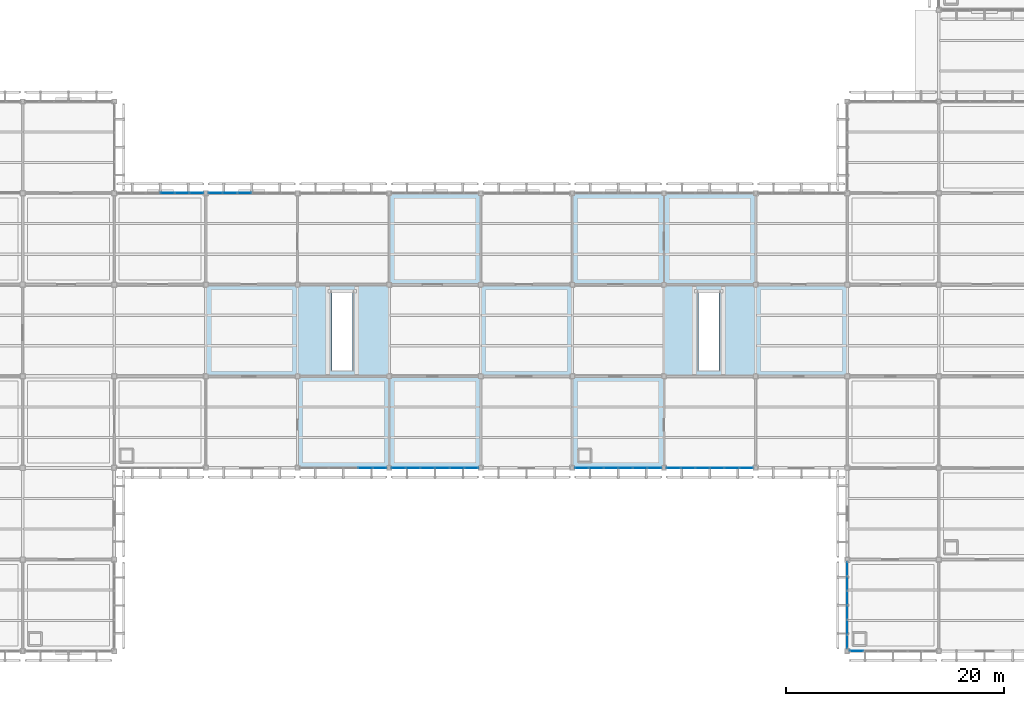
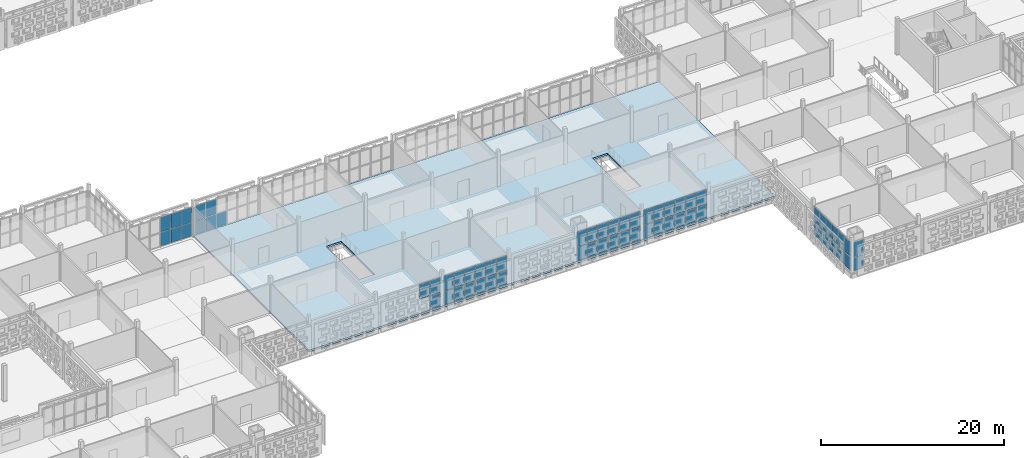
# One storey, part 91 of 203: 64 plates, 1 slab, 8 elements without a shape of their own.
"""IFC4 building model written with IfcOpenShell, lengths in metres."""

from ifc_helpers import new_model, si_unit, direction, frame, origin, origin_2d, place, context, subcontext, project, spatial, polyline, rectangle, outline, extrude, material, layer, layer_set, type_object, element, aggregate, save


model = new_model("IFC4")

# Units and contexts
model_context = context("Model", 3, precision=1e-05, world=origin(), true_north=direction((0.0, 1.0)))
body_context = subcontext(model_context, "Body", "Model", "MODEL_VIEW")
ifc_project = project(units=[si_unit("LENGTHUNIT", "METRE"), si_unit("AREAUNIT", "SQUARE_METRE"), si_unit("VOLUMEUNIT", "CUBIC_METRE"), si_unit("PLANEANGLEUNIT", "RADIAN"), si_unit("MASSUNIT", "GRAM", prefix="KILO")], contexts=[model_context])

# Site, building, storey
site_placement = place(None, origin())
site = spatial("IfcSite", under=ifc_project, at=site_placement, CompositionType="ELEMENT")
building_placement = place(site_placement, origin())
building = spatial("IfcBuilding", under=site, at=building_placement, Name="Varnapada Polytechnic", CompositionType="ELEMENT")
storey_placement = place(building_placement, frame((0.0, 0.0, 4.800048828125)))
storey = spatial("IfcBuildingStorey", under=building, at=storey_placement, Name="L01", CompositionType="ELEMENT", Elevation=4.800048828125)

# Curtain wall, plates
ifc_material_1 = material(Name="Double low-E laminated glass", Category="glass")
ifc_layer_1 = layer(ifc_material_1, 0.159912109375)
ifc_layer_set_1 = layer_set([ifc_layer_1], Name="Double low-E laminated glass")
curtain_wall_type_1 = type_object("IfcCurtainWallType", Name="Curtain Wall CW-01", PredefinedType="NOTDEFINED", material=ifc_layer_set_1)
curtain_wall_1_placement = place(storey_placement, origin())
curtain_wall_1 = element("IfcCurtainWall", 1, at=curtain_wall_1_placement, inside=storey, type_object=curtain_wall_type_1, Name="L01 unitised curtain wall CW-01 (56)", PredefinedType="NOTDEFINED")
ifc_layer_2 = layer(ifc_material_1, 0.028076171875)
ifc_layer_set_2 = layer_set([ifc_layer_2], Name="Double low-E laminated glass")
plate_type_1 = type_object("IfcPlateType", Name="Curtain Panel PNL-01", PredefinedType="CURTAIN_PANEL", material=ifc_layer_set_2)
plate_1_placement = place(storey_placement, frame((63.6767578125, 42.0, 0.06005859375), z_axis=(0.0, 0.0, 1.0), x_axis=(1.0, 0.0, 0.0)))
plate_1 = element("IfcPlate", 2, at=plate_1_placement, type_object=plate_type_1, Name="CW-01 panel 4.1", PredefinedType="CURTAIN_PANEL", context=body_context, shape_type="SweptSolid", body=[
    extrude(rectangle(XDim=1.2734375, YDim=0.028076171875, at=origin_2d()), origin(), (0.0, 0.0, 1.0), 1.810791015625),
])
plate_2_placement = place(storey_placement, frame((63.6767578125, 42.0, 1.9306640625), z_axis=(0.0, 0.0, 1.0), x_axis=(1.0, 0.0, 0.0)))
plate_2 = element("IfcPlate", 3, at=plate_2_placement, type_object=plate_type_1, Name="CW-01 panel 4.2", PredefinedType="CURTAIN_PANEL", context=body_context, shape_type="SweptSolid", body=[
    extrude(rectangle(XDim=1.2734375, YDim=0.028076171875, at=origin_2d()), origin(), (0.0, 0.0, 1.0), 1.96923828125),
])
plate_3_placement = place(storey_placement, frame((65.010009765625, 42.0, 0.06005859375), z_axis=(0.0, 0.0, 1.0), x_axis=(1.0, 0.0, 0.0)))
plate_3 = element("IfcPlate", 4, at=plate_3_placement, type_object=plate_type_1, Name="CW-01 panel 5.1", PredefinedType="CURTAIN_PANEL", context=body_context, shape_type="SweptSolid", body=[
    extrude(rectangle(XDim=1.2734375, YDim=0.028076171875, at=origin_2d()), origin(), (0.0, 0.0, 1.0), 1.810791015625),
])
plate_4_placement = place(storey_placement, frame((65.010009765625, 42.0, 1.9306640625), z_axis=(0.0, 0.0, 1.0), x_axis=(1.0, 0.0, 0.0)))
plate_4 = element("IfcPlate", 5, at=plate_4_placement, type_object=plate_type_1, Name="CW-01 panel 5.2", PredefinedType="CURTAIN_PANEL", context=body_context, shape_type="SweptSolid", body=[
    extrude(rectangle(XDim=1.2734375, YDim=0.028076171875, at=origin_2d()), origin(), (0.0, 0.0, 1.0), 1.96923828125),
])
plate_5_placement = place(storey_placement, frame((66.328369140625, 42.0, 0.06005859375), z_axis=(0.0, 0.0, 1.0), x_axis=(1.0, 0.0, 0.0)))
plate_5 = element("IfcPlate", 6, at=plate_5_placement, type_object=plate_type_1, Name="CW-01 panel 6.1", PredefinedType="CURTAIN_PANEL", context=body_context, shape_type="SweptSolid", body=[
    extrude(rectangle(XDim=1.243408203125, YDim=0.028076171875, at=origin_2d()), origin(), (0.0, 0.0, 1.0), 1.810791015625),
])
plate_6_placement = place(storey_placement, frame((66.328369140625, 42.0, 1.9306640625), z_axis=(0.0, 0.0, 1.0), x_axis=(1.0, 0.0, 0.0)))
plate_6 = element("IfcPlate", 7, at=plate_6_placement, type_object=plate_type_1, Name="CW-01 panel 6.2", PredefinedType="CURTAIN_PANEL", context=body_context, shape_type="SweptSolid", body=[
    extrude(rectangle(XDim=1.243408203125, YDim=0.028076171875, at=origin_2d()), origin(), (0.0, 0.0, 1.0), 1.96923828125),
])
aggregate(curtain_wall_1, [plate_1, plate_2, plate_3, plate_4, plate_5, plate_6])

curtain_wall_2_placement = place(storey_placement, origin())
curtain_wall_2 = element("IfcCurtainWall", 8, at=curtain_wall_2_placement, inside=storey, type_object=curtain_wall_type_1, Name="L01 unitised curtain wall CW-01 (61)", PredefinedType="NOTDEFINED")
plate_7_placement = place(storey_placement, frame((68.072509765625, 42.0, 0.06005859375), z_axis=(0.0, 0.0, 1.0), x_axis=(1.0, 0.0, 0.0)))
plate_7 = element("IfcPlate", 9, at=plate_7_placement, type_object=plate_type_1, Name="CW-01 panel 1.1", PredefinedType="CURTAIN_PANEL", context=body_context, shape_type="SweptSolid", body=[
    extrude(rectangle(XDim=1.2451171875, YDim=0.028076171875, at=origin_2d()), origin(), (0.0, 0.0, 1.0), 1.810791015625),
])
plate_8_placement = place(storey_placement, frame((68.072509765625, 42.0, 1.9306640625), z_axis=(0.0, 0.0, 1.0), x_axis=(1.0, 0.0, 0.0)))
plate_8 = element("IfcPlate", 10, at=plate_8_placement, type_object=plate_type_1, Name="CW-01 panel 1.2", PredefinedType="CURTAIN_PANEL", context=body_context, shape_type="SweptSolid", body=[
    extrude(rectangle(XDim=1.2451171875, YDim=0.028076171875, at=origin_2d()), origin(), (0.0, 0.0, 1.0), 1.96923828125),
])
plate_9_placement = place(storey_placement, frame((69.392578125, 42.0, 0.06005859375), z_axis=(0.0, 0.0, 1.0), x_axis=(1.0, 0.0, 0.0)))
plate_9 = element("IfcPlate", 11, at=plate_9_placement, type_object=plate_type_1, Name="CW-01 panel 2.1", PredefinedType="CURTAIN_PANEL", context=body_context, shape_type="SweptSolid", body=[
    extrude(rectangle(XDim=1.27490234375, YDim=0.028076171875, at=origin_2d()), origin(), (0.0, 0.0, 1.0), 1.810791015625),
])
plate_10_placement = place(storey_placement, frame((69.392578125, 42.0, 1.9306640625), z_axis=(0.0, 0.0, 1.0), x_axis=(1.0, 0.0, 0.0)))
plate_10 = element("IfcPlate", 12, at=plate_10_placement, type_object=plate_type_1, Name="CW-01 panel 2.2", PredefinedType="CURTAIN_PANEL", context=body_context, shape_type="SweptSolid", body=[
    extrude(rectangle(XDim=1.27490234375, YDim=0.028076171875, at=origin_2d()), origin(), (0.0, 0.0, 1.0), 1.96923828125),
])
plate_11_placement = place(storey_placement, frame((70.7275390625, 42.0, 0.06005859375), z_axis=(0.0, 0.0, 1.0), x_axis=(1.0, 0.0, 0.0)))
plate_11 = element("IfcPlate", 13, at=plate_11_placement, type_object=plate_type_1, Name="CW-01 panel 3.1", PredefinedType="CURTAIN_PANEL", context=body_context, shape_type="SweptSolid", body=[
    extrude(rectangle(XDim=1.27490234375, YDim=0.028076171875, at=origin_2d()), origin(), (0.0, 0.0, 1.0), 1.810791015625),
])
aggregate(curtain_wall_2, [plate_7, plate_8, plate_9, plate_10, plate_11])

ifc_layer_3 = layer(ifc_material_1, 0.179931640625)
ifc_layer_set_3 = layer_set([ifc_layer_3], Name="Double low-E laminated glass")
curtain_wall_type_2 = type_object("IfcCurtainWallType", Name="Curtain Wall CW-04", PredefinedType="NOTDEFINED", material=ifc_layer_set_3)
curtain_wall_3_placement = place(storey_placement, origin())
curtain_wall_3 = element("IfcCurtainWall", 14, at=curtain_wall_3_placement, inside=storey, type_object=curtain_wall_type_2, Name="L01 unitised curtain wall CW-04 (64)", PredefinedType="NOTDEFINED")
ifc_layer_4 = layer(ifc_material_1, 0.031982421875)
ifc_layer_set_4 = layer_set([ifc_layer_4], Name="Double low-E laminated glass")
plate_type_2 = type_object("IfcPlateType", Name="Curtain Panel PNL-02", PredefinedType="CURTAIN_PANEL", material=ifc_layer_set_4)
plate_12_placement = place(storey_placement, frame((83.1337890625, 16.800048828125, 0.06494140625), z_axis=(0.0, 0.0, 1.0), x_axis=(-1.0, 0.0, 0.0)))
plate_12 = element("IfcPlate", 15, at=plate_12_placement, type_object=plate_type_2, Name="CW-04 panel 1.1", PredefinedType="CURTAIN_PANEL", context=body_context, shape_type="SweptSolid", body=[
    extrude(rectangle(XDim=1.242431640625, YDim=0.031982421875, at=origin_2d()), origin(), (0.0, 0.0, 1.0), 1.80322265625),
])
plate_13_placement = place(storey_placement, frame((83.1337890625, 16.800048828125, 1.93310546875), z_axis=(0.0, 0.0, 1.0), x_axis=(-1.0, 0.0, 0.0)))
plate_13 = element("IfcPlate", 16, at=plate_13_placement, type_object=plate_type_2, Name="CW-04 panel 1.2", PredefinedType="CURTAIN_PANEL", context=body_context, shape_type="SweptSolid", body=[
    extrude(rectangle(XDim=1.242431640625, YDim=0.031982421875, at=origin_2d()), origin(), (0.0, 0.0, 1.0), 1.961669921875),
])
plate_14_placement = place(storey_placement, frame((81.81005859375, 16.800048828125, 1.93310546875), z_axis=(0.0, 0.0, 1.0), x_axis=(-1.0, 0.0, 0.0)))
plate_14 = element("IfcPlate", 17, at=plate_14_placement, type_object=plate_type_2, Name="CW-04 panel 2.2", PredefinedType="CURTAIN_PANEL", context=body_context, shape_type="SweptSolid", body=[
    extrude(rectangle(XDim=1.27490234375, YDim=0.031982421875, at=origin_2d()), origin(), (0.0, 0.0, 1.0), 1.961669921875),
])
aggregate(curtain_wall_3, [plate_12, plate_13, plate_14])

curtain_wall_4_placement = place(storey_placement, origin())
curtain_wall_4 = element("IfcCurtainWall", 18, at=curtain_wall_4_placement, inside=storey, type_object=curtain_wall_type_2, Name="L01 unitised curtain wall CW-04 (69)", PredefinedType="NOTDEFINED")
plate_15_placement = place(storey_placement, frame((91.53369140625, 16.800048828125, 0.06494140625), z_axis=(0.0, 0.0, 1.0), x_axis=(-1.0, 0.0, 0.0)))
plate_15 = element("IfcPlate", 19, at=plate_15_placement, type_object=plate_type_2, Name="CW-04 panel 1.1", PredefinedType="CURTAIN_PANEL", context=body_context, shape_type="SweptSolid", body=[
    extrude(rectangle(XDim=1.242431640625, YDim=0.031982421875, at=origin_2d()), origin(), (0.0, 0.0, 1.0), 1.80322265625),
])
plate_16_placement = place(storey_placement, frame((91.53369140625, 16.800048828125, 1.93310546875), z_axis=(0.0, 0.0, 1.0), x_axis=(-1.0, 0.0, 0.0)))
plate_16 = element("IfcPlate", 20, at=plate_16_placement, type_object=plate_type_2, Name="CW-04 panel 1.2", PredefinedType="CURTAIN_PANEL", context=body_context, shape_type="SweptSolid", body=[
    extrude(rectangle(XDim=1.242431640625, YDim=0.031982421875, at=origin_2d()), origin(), (0.0, 0.0, 1.0), 1.961669921875),
])
plate_17_placement = place(storey_placement, frame((90.2099609375, 16.800048828125, 0.06494140625), z_axis=(0.0, 0.0, 1.0), x_axis=(-1.0, 0.0, 0.0)))
plate_17 = element("IfcPlate", 21, at=plate_17_placement, type_object=plate_type_2, Name="CW-04 panel 2.1", PredefinedType="CURTAIN_PANEL", context=body_context, shape_type="SweptSolid", body=[
    extrude(rectangle(XDim=1.27490234375, YDim=0.031982421875, at=origin_2d()), origin(), (0.0, 0.0, 1.0), 1.80322265625),
])
plate_18_placement = place(storey_placement, frame((90.2099609375, 16.800048828125, 1.93310546875), z_axis=(0.0, 0.0, 1.0), x_axis=(-1.0, 0.0, 0.0)))
plate_18 = element("IfcPlate", 22, at=plate_18_placement, type_object=plate_type_2, Name="CW-04 panel 2.2", PredefinedType="CURTAIN_PANEL", context=body_context, shape_type="SweptSolid", body=[
    extrude(rectangle(XDim=1.27490234375, YDim=0.031982421875, at=origin_2d()), origin(), (0.0, 0.0, 1.0), 1.961669921875),
])
plate_19_placement = place(storey_placement, frame((88.8701171875, 16.800048828125, 0.06494140625), z_axis=(0.0, 0.0, 1.0), x_axis=(-1.0, 0.0, 0.0)))
plate_19 = element("IfcPlate", 23, at=plate_19_placement, type_object=plate_type_2, Name="CW-04 panel 3.1", PredefinedType="CURTAIN_PANEL", context=body_context, shape_type="SweptSolid", body=[
    extrude(rectangle(XDim=1.27490234375, YDim=0.031982421875, at=origin_2d()), origin(), (0.0, 0.0, 1.0), 1.80322265625),
])
plate_20_placement = place(storey_placement, frame((88.8701171875, 16.800048828125, 1.93310546875), z_axis=(0.0, 0.0, 1.0), x_axis=(-1.0, 0.0, 0.0)))
plate_20 = element("IfcPlate", 24, at=plate_20_placement, type_object=plate_type_2, Name="CW-04 panel 3.2", PredefinedType="CURTAIN_PANEL", context=body_context, shape_type="SweptSolid", body=[
    extrude(rectangle(XDim=1.27490234375, YDim=0.031982421875, at=origin_2d()), origin(), (0.0, 0.0, 1.0), 1.961669921875),
])
plate_21_placement = place(storey_placement, frame((87.530029296875, 16.800048828125, 0.06494140625), z_axis=(0.0, 0.0, 1.0), x_axis=(-1.0, 0.0, 0.0)))
plate_21 = element("IfcPlate", 25, at=plate_21_placement, type_object=plate_type_2, Name="CW-04 panel 4.1", PredefinedType="CURTAIN_PANEL", context=body_context, shape_type="SweptSolid", body=[
    extrude(rectangle(XDim=1.27490234375, YDim=0.031982421875, at=origin_2d()), origin(), (0.0, 0.0, 1.0), 1.80322265625),
])
plate_22_placement = place(storey_placement, frame((87.530029296875, 16.800048828125, 1.93310546875), z_axis=(0.0, 0.0, 1.0), x_axis=(-1.0, 0.0, 0.0)))
plate_22 = element("IfcPlate", 26, at=plate_22_placement, type_object=plate_type_2, Name="CW-04 panel 4.2", PredefinedType="CURTAIN_PANEL", context=body_context, shape_type="SweptSolid", body=[
    extrude(rectangle(XDim=1.27490234375, YDim=0.031982421875, at=origin_2d()), origin(), (0.0, 0.0, 1.0), 1.961669921875),
])
plate_23_placement = place(storey_placement, frame((86.18994140625, 16.800048828125, 0.06494140625), z_axis=(0.0, 0.0, 1.0), x_axis=(-1.0, 0.0, 0.0)))
plate_23 = element("IfcPlate", 27, at=plate_23_placement, type_object=plate_type_2, Name="CW-04 panel 5.1", PredefinedType="CURTAIN_PANEL", context=body_context, shape_type="SweptSolid", body=[
    extrude(rectangle(XDim=1.27490234375, YDim=0.031982421875, at=origin_2d()), origin(), (0.0, 0.0, 1.0), 1.80322265625),
])
plate_24_placement = place(storey_placement, frame((86.18994140625, 16.800048828125, 1.93310546875), z_axis=(0.0, 0.0, 1.0), x_axis=(-1.0, 0.0, 0.0)))
plate_24 = element("IfcPlate", 28, at=plate_24_placement, type_object=plate_type_2, Name="CW-04 panel 5.2", PredefinedType="CURTAIN_PANEL", context=body_context, shape_type="SweptSolid", body=[
    extrude(rectangle(XDim=1.27490234375, YDim=0.031982421875, at=origin_2d()), origin(), (0.0, 0.0, 1.0), 1.961669921875),
])
plate_25_placement = place(storey_placement, frame((84.8662109375, 16.800048828125, 0.06494140625), z_axis=(0.0, 0.0, 1.0), x_axis=(-1.0, 0.0, 0.0)))
plate_25 = element("IfcPlate", 29, at=plate_25_placement, type_object=plate_type_2, Name="CW-04 panel 6.1", PredefinedType="CURTAIN_PANEL", context=body_context, shape_type="SweptSolid", body=[
    extrude(rectangle(XDim=1.242431640625, YDim=0.031982421875, at=origin_2d()), origin(), (0.0, 0.0, 1.0), 1.80322265625),
])
plate_26_placement = place(storey_placement, frame((84.8662109375, 16.800048828125, 1.93310546875), z_axis=(0.0, 0.0, 1.0), x_axis=(-1.0, 0.0, 0.0)))
plate_26 = element("IfcPlate", 30, at=plate_26_placement, type_object=plate_type_2, Name="CW-04 panel 6.2", PredefinedType="CURTAIN_PANEL", context=body_context, shape_type="SweptSolid", body=[
    extrude(rectangle(XDim=1.242431640625, YDim=0.031982421875, at=origin_2d()), origin(), (0.0, 0.0, 1.0), 1.961669921875),
])
aggregate(curtain_wall_4, [plate_15, plate_16, plate_17, plate_18, plate_19, plate_20, plate_21, plate_22, plate_23, plate_24, plate_25, plate_26])

curtain_wall_5_placement = place(storey_placement, origin())
curtain_wall_5 = element("IfcCurtainWall", 31, at=curtain_wall_5_placement, inside=storey, type_object=curtain_wall_type_2, Name="L01 unitised curtain wall CW-04 (78)", PredefinedType="NOTDEFINED")
plate_27_placement = place(storey_placement, frame((108.333740234375, 16.800048828125, 0.06494140625), z_axis=(0.0, 0.0, 1.0), x_axis=(-1.0, 0.0, 0.0)))
plate_27 = element("IfcPlate", 32, at=plate_27_placement, type_object=plate_type_2, Name="CW-04 panel 1.1", PredefinedType="CURTAIN_PANEL", context=body_context, shape_type="SweptSolid", body=[
    extrude(rectangle(XDim=1.242431640625, YDim=0.031982421875, at=origin_2d()), origin(), (0.0, 0.0, 1.0), 1.80322265625),
])
plate_28_placement = place(storey_placement, frame((108.333740234375, 16.800048828125, 1.93310546875), z_axis=(0.0, 0.0, 1.0), x_axis=(-1.0, 0.0, 0.0)))
plate_28 = element("IfcPlate", 33, at=plate_28_placement, type_object=plate_type_2, Name="CW-04 panel 1.2", PredefinedType="CURTAIN_PANEL", context=body_context, shape_type="SweptSolid", body=[
    extrude(rectangle(XDim=1.242431640625, YDim=0.031982421875, at=origin_2d()), origin(), (0.0, 0.0, 1.0), 1.961669921875),
])
plate_29_placement = place(storey_placement, frame((107.010009765625, 16.800048828125, 0.06494140625), z_axis=(0.0, 0.0, 1.0), x_axis=(-1.0, 0.0, 0.0)))
plate_29 = element("IfcPlate", 34, at=plate_29_placement, type_object=plate_type_2, Name="CW-04 panel 2.1", PredefinedType="CURTAIN_PANEL", context=body_context, shape_type="SweptSolid", body=[
    extrude(rectangle(XDim=1.27490234375, YDim=0.031982421875, at=origin_2d()), origin(), (0.0, 0.0, 1.0), 1.80322265625),
])
plate_30_placement = place(storey_placement, frame((107.010009765625, 16.800048828125, 1.93310546875), z_axis=(0.0, 0.0, 1.0), x_axis=(-1.0, 0.0, 0.0)))
plate_30 = element("IfcPlate", 35, at=plate_30_placement, type_object=plate_type_2, Name="CW-04 panel 2.2", PredefinedType="CURTAIN_PANEL", context=body_context, shape_type="SweptSolid", body=[
    extrude(rectangle(XDim=1.27490234375, YDim=0.031982421875, at=origin_2d()), origin(), (0.0, 0.0, 1.0), 1.961669921875),
])
plate_31_placement = place(storey_placement, frame((105.669921875, 16.800048828125, 0.06494140625), z_axis=(0.0, 0.0, 1.0), x_axis=(-1.0, 0.0, 0.0)))
plate_31 = element("IfcPlate", 36, at=plate_31_placement, type_object=plate_type_2, Name="CW-04 panel 3.1", PredefinedType="CURTAIN_PANEL", context=body_context, shape_type="SweptSolid", body=[
    extrude(rectangle(XDim=1.27490234375, YDim=0.031982421875, at=origin_2d()), origin(), (0.0, 0.0, 1.0), 1.80322265625),
])
plate_32_placement = place(storey_placement, frame((105.669921875, 16.800048828125, 1.93310546875), z_axis=(0.0, 0.0, 1.0), x_axis=(-1.0, 0.0, 0.0)))
plate_32 = element("IfcPlate", 37, at=plate_32_placement, type_object=plate_type_2, Name="CW-04 panel 3.2", PredefinedType="CURTAIN_PANEL", context=body_context, shape_type="SweptSolid", body=[
    extrude(rectangle(XDim=1.27490234375, YDim=0.031982421875, at=origin_2d()), origin(), (0.0, 0.0, 1.0), 1.961669921875),
])
plate_33_placement = place(storey_placement, frame((104.330078125, 16.800048828125, 0.06494140625), z_axis=(0.0, 0.0, 1.0), x_axis=(-1.0, 0.0, 0.0)))
plate_33 = element("IfcPlate", 38, at=plate_33_placement, type_object=plate_type_2, Name="CW-04 panel 4.1", PredefinedType="CURTAIN_PANEL", context=body_context, shape_type="SweptSolid", body=[
    extrude(rectangle(XDim=1.27490234375, YDim=0.031982421875, at=origin_2d()), origin(), (0.0, 0.0, 1.0), 1.80322265625),
])
plate_34_placement = place(storey_placement, frame((104.330078125, 16.800048828125, 1.93310546875), z_axis=(0.0, 0.0, 1.0), x_axis=(-1.0, 0.0, 0.0)))
plate_34 = element("IfcPlate", 39, at=plate_34_placement, type_object=plate_type_2, Name="CW-04 panel 4.2", PredefinedType="CURTAIN_PANEL", context=body_context, shape_type="SweptSolid", body=[
    extrude(rectangle(XDim=1.27490234375, YDim=0.031982421875, at=origin_2d()), origin(), (0.0, 0.0, 1.0), 1.961669921875),
])
plate_35_placement = place(storey_placement, frame((102.989990234375, 16.800048828125, 0.06494140625), z_axis=(0.0, 0.0, 1.0), x_axis=(-1.0, 0.0, 0.0)))
plate_35 = element("IfcPlate", 40, at=plate_35_placement, type_object=plate_type_2, Name="CW-04 panel 5.1", PredefinedType="CURTAIN_PANEL", context=body_context, shape_type="SweptSolid", body=[
    extrude(rectangle(XDim=1.27490234375, YDim=0.031982421875, at=origin_2d()), origin(), (0.0, 0.0, 1.0), 1.80322265625),
])
plate_36_placement = place(storey_placement, frame((102.989990234375, 16.800048828125, 1.93310546875), z_axis=(0.0, 0.0, 1.0), x_axis=(-1.0, 0.0, 0.0)))
plate_36 = element("IfcPlate", 41, at=plate_36_placement, type_object=plate_type_2, Name="CW-04 panel 5.2", PredefinedType="CURTAIN_PANEL", context=body_context, shape_type="SweptSolid", body=[
    extrude(rectangle(XDim=1.27490234375, YDim=0.031982421875, at=origin_2d()), origin(), (0.0, 0.0, 1.0), 1.961669921875),
])
plate_37_placement = place(storey_placement, frame((101.666259765625, 16.800048828125, 0.06494140625), z_axis=(0.0, 0.0, 1.0), x_axis=(-1.0, 0.0, 0.0)))
plate_37 = element("IfcPlate", 42, at=plate_37_placement, type_object=plate_type_2, Name="CW-04 panel 6.1", PredefinedType="CURTAIN_PANEL", context=body_context, shape_type="SweptSolid", body=[
    extrude(rectangle(XDim=1.242431640625, YDim=0.031982421875, at=origin_2d()), origin(), (0.0, 0.0, 1.0), 1.80322265625),
])
plate_38_placement = place(storey_placement, frame((101.666259765625, 16.800048828125, 1.93310546875), z_axis=(0.0, 0.0, 1.0), x_axis=(-1.0, 0.0, 0.0)))
plate_38 = element("IfcPlate", 43, at=plate_38_placement, type_object=plate_type_2, Name="CW-04 panel 6.2", PredefinedType="CURTAIN_PANEL", context=body_context, shape_type="SweptSolid", body=[
    extrude(rectangle(XDim=1.242431640625, YDim=0.031982421875, at=origin_2d()), origin(), (0.0, 0.0, 1.0), 1.961669921875),
])
aggregate(curtain_wall_5, [plate_27, plate_28, plate_29, plate_30, plate_31, plate_32, plate_33, plate_34, plate_35, plate_36, plate_37, plate_38])

curtain_wall_6_placement = place(storey_placement, origin())
curtain_wall_6 = element("IfcCurtainWall", 44, at=curtain_wall_6_placement, inside=storey, type_object=curtain_wall_type_2, Name="L01 unitised curtain wall CW-04 (83)", PredefinedType="NOTDEFINED")
plate_39_placement = place(storey_placement, frame((116.733642578125, 16.800048828125, 0.06494140625), z_axis=(0.0, 0.0, 1.0), x_axis=(-1.0, 0.0, 0.0)))
plate_39 = element("IfcPlate", 45, at=plate_39_placement, type_object=plate_type_2, Name="CW-04 panel 1.1", PredefinedType="CURTAIN_PANEL", context=body_context, shape_type="SweptSolid", body=[
    extrude(rectangle(XDim=1.242431640625, YDim=0.031982421875, at=origin_2d()), origin(), (0.0, 0.0, 1.0), 1.80322265625),
])
plate_40_placement = place(storey_placement, frame((116.733642578125, 16.800048828125, 1.93310546875), z_axis=(0.0, 0.0, 1.0), x_axis=(-1.0, 0.0, 0.0)))
plate_40 = element("IfcPlate", 46, at=plate_40_placement, type_object=plate_type_2, Name="CW-04 panel 1.2", PredefinedType="CURTAIN_PANEL", context=body_context, shape_type="SweptSolid", body=[
    extrude(rectangle(XDim=1.242431640625, YDim=0.031982421875, at=origin_2d()), origin(), (0.0, 0.0, 1.0), 1.961669921875),
])
plate_41_placement = place(storey_placement, frame((115.409912109375, 16.800048828125, 0.06494140625), z_axis=(0.0, 0.0, 1.0), x_axis=(-1.0, 0.0, 0.0)))
plate_41 = element("IfcPlate", 47, at=plate_41_placement, type_object=plate_type_2, Name="CW-04 panel 2.1", PredefinedType="CURTAIN_PANEL", context=body_context, shape_type="SweptSolid", body=[
    extrude(rectangle(XDim=1.27490234375, YDim=0.031982421875, at=origin_2d()), origin(), (0.0, 0.0, 1.0), 1.80322265625),
])
plate_42_placement = place(storey_placement, frame((115.409912109375, 16.800048828125, 1.93310546875), z_axis=(0.0, 0.0, 1.0), x_axis=(-1.0, 0.0, 0.0)))
plate_42 = element("IfcPlate", 48, at=plate_42_placement, type_object=plate_type_2, Name="CW-04 panel 2.2", PredefinedType="CURTAIN_PANEL", context=body_context, shape_type="SweptSolid", body=[
    extrude(rectangle(XDim=1.27490234375, YDim=0.031982421875, at=origin_2d()), origin(), (0.0, 0.0, 1.0), 1.961669921875),
])
plate_43_placement = place(storey_placement, frame((114.070068359375, 16.800048828125, 0.06494140625), z_axis=(0.0, 0.0, 1.0), x_axis=(-1.0, 0.0, 0.0)))
plate_43 = element("IfcPlate", 49, at=plate_43_placement, type_object=plate_type_2, Name="CW-04 panel 3.1", PredefinedType="CURTAIN_PANEL", context=body_context, shape_type="SweptSolid", body=[
    extrude(rectangle(XDim=1.27490234375, YDim=0.031982421875, at=origin_2d()), origin(), (0.0, 0.0, 1.0), 1.80322265625),
])
plate_44_placement = place(storey_placement, frame((114.070068359375, 16.800048828125, 1.93310546875), z_axis=(0.0, 0.0, 1.0), x_axis=(-1.0, 0.0, 0.0)))
plate_44 = element("IfcPlate", 50, at=plate_44_placement, type_object=plate_type_2, Name="CW-04 panel 3.2", PredefinedType="CURTAIN_PANEL", context=body_context, shape_type="SweptSolid", body=[
    extrude(rectangle(XDim=1.27490234375, YDim=0.031982421875, at=origin_2d()), origin(), (0.0, 0.0, 1.0), 1.961669921875),
])
plate_45_placement = place(storey_placement, frame((112.72998046875, 16.800048828125, 0.06494140625), z_axis=(0.0, 0.0, 1.0), x_axis=(-1.0, 0.0, 0.0)))
plate_45 = element("IfcPlate", 51, at=plate_45_placement, type_object=plate_type_2, Name="CW-04 panel 4.1", PredefinedType="CURTAIN_PANEL", context=body_context, shape_type="SweptSolid", body=[
    extrude(rectangle(XDim=1.27490234375, YDim=0.031982421875, at=origin_2d()), origin(), (0.0, 0.0, 1.0), 1.80322265625),
])
plate_46_placement = place(storey_placement, frame((112.72998046875, 16.800048828125, 1.93310546875), z_axis=(0.0, 0.0, 1.0), x_axis=(-1.0, 0.0, 0.0)))
plate_46 = element("IfcPlate", 52, at=plate_46_placement, type_object=plate_type_2, Name="CW-04 panel 4.2", PredefinedType="CURTAIN_PANEL", context=body_context, shape_type="SweptSolid", body=[
    extrude(rectangle(XDim=1.27490234375, YDim=0.031982421875, at=origin_2d()), origin(), (0.0, 0.0, 1.0), 1.961669921875),
])
plate_47_placement = place(storey_placement, frame((111.389892578125, 16.800048828125, 0.06494140625), z_axis=(0.0, 0.0, 1.0), x_axis=(-1.0, 0.0, 0.0)))
plate_47 = element("IfcPlate", 53, at=plate_47_placement, type_object=plate_type_2, Name="CW-04 panel 5.1", PredefinedType="CURTAIN_PANEL", context=body_context, shape_type="SweptSolid", body=[
    extrude(rectangle(XDim=1.27490234375, YDim=0.031982421875, at=origin_2d()), origin(), (0.0, 0.0, 1.0), 1.80322265625),
])
plate_48_placement = place(storey_placement, frame((111.389892578125, 16.800048828125, 1.93310546875), z_axis=(0.0, 0.0, 1.0), x_axis=(-1.0, 0.0, 0.0)))
plate_48 = element("IfcPlate", 54, at=plate_48_placement, type_object=plate_type_2, Name="CW-04 panel 5.2", PredefinedType="CURTAIN_PANEL", context=body_context, shape_type="SweptSolid", body=[
    extrude(rectangle(XDim=1.27490234375, YDim=0.031982421875, at=origin_2d()), origin(), (0.0, 0.0, 1.0), 1.961669921875),
])
plate_49_placement = place(storey_placement, frame((110.066162109375, 16.800048828125, 0.06494140625), z_axis=(0.0, 0.0, 1.0), x_axis=(-1.0, 0.0, 0.0)))
plate_49 = element("IfcPlate", 55, at=plate_49_placement, type_object=plate_type_2, Name="CW-04 panel 6.1", PredefinedType="CURTAIN_PANEL", context=body_context, shape_type="SweptSolid", body=[
    extrude(rectangle(XDim=1.242431640625, YDim=0.031982421875, at=origin_2d()), origin(), (0.0, 0.0, 1.0), 1.80322265625),
])
plate_50_placement = place(storey_placement, frame((110.066162109375, 16.800048828125, 1.93310546875), z_axis=(0.0, 0.0, 1.0), x_axis=(-1.0, 0.0, 0.0)))
plate_50 = element("IfcPlate", 56, at=plate_50_placement, type_object=plate_type_2, Name="CW-04 panel 6.2", PredefinedType="CURTAIN_PANEL", context=body_context, shape_type="SweptSolid", body=[
    extrude(rectangle(XDim=1.242431640625, YDim=0.031982421875, at=origin_2d()), origin(), (0.0, 0.0, 1.0), 1.961669921875),
])
aggregate(curtain_wall_6, [plate_39, plate_40, plate_41, plate_42, plate_43, plate_44, plate_45, plate_46, plate_47, plate_48, plate_49, plate_50])

curtain_wall_7_placement = place(storey_placement, origin())
curtain_wall_7 = element("IfcCurtainWall", 57, at=curtain_wall_7_placement, inside=storey, type_object=curtain_wall_type_2, Name="L01 unitised curtain wall CW-04 (92)", PredefinedType="NOTDEFINED")
plate_51_placement = place(storey_placement, frame((126.8662109375, 0.0, 0.06494140625), z_axis=(0.0, 0.0, 1.0), x_axis=(-1.0, 0.0, 0.0)))
plate_51 = element("IfcPlate", 58, at=plate_51_placement, type_object=plate_type_2, Name="CW-04 panel 6.1", PredefinedType="CURTAIN_PANEL", context=body_context, shape_type="SweptSolid", body=[
    extrude(rectangle(XDim=1.242431640625, YDim=0.031982421875, at=origin_2d()), origin(), (0.0, 0.0, 1.0), 1.80322265625),
])
plate_52_placement = place(storey_placement, frame((126.8662109375, 0.0, 1.93310546875), z_axis=(0.0, 0.0, 1.0), x_axis=(-1.0, 0.0, 0.0)))
plate_52 = element("IfcPlate", 59, at=plate_52_placement, type_object=plate_type_2, Name="CW-04 panel 6.2", PredefinedType="CURTAIN_PANEL", context=body_context, shape_type="SweptSolid", body=[
    extrude(rectangle(XDim=1.242431640625, YDim=0.031982421875, at=origin_2d()), origin(), (0.0, 0.0, 1.0), 1.961669921875),
])
aggregate(curtain_wall_7, [plate_51, plate_52])

curtain_wall_8_placement = place(storey_placement, origin())
curtain_wall_8 = element("IfcCurtainWall", 60, at=curtain_wall_8_placement, inside=storey, type_object=curtain_wall_type_2, Name="L01 unitised curtain wall CW-04 (93)", PredefinedType="NOTDEFINED")
plate_53_placement = place(storey_placement, frame((126.0, 0.8671875, 0.06494140625), z_axis=(0.0, 0.0, 1.0), x_axis=(0.0, 1.0, 0.0)))
plate_53 = element("IfcPlate", 61, at=plate_53_placement, type_object=plate_type_2, Name="CW-04 panel 1.1", PredefinedType="CURTAIN_PANEL", context=body_context, shape_type="SweptSolid", body=[
    extrude(rectangle(XDim=1.244140625, YDim=0.031982421875, at=origin_2d()), origin(), (0.0, 0.0, 1.0), 1.80322265625),
])
plate_54_placement = place(storey_placement, frame((126.0, 0.8671875, 1.93310546875), z_axis=(0.0, 0.0, 1.0), x_axis=(0.0, 1.0, 0.0)))
plate_54 = element("IfcPlate", 62, at=plate_54_placement, type_object=plate_type_2, Name="CW-04 panel 1.2", PredefinedType="CURTAIN_PANEL", context=body_context, shape_type="SweptSolid", body=[
    extrude(rectangle(XDim=1.244140625, YDim=0.031982421875, at=origin_2d()), origin(), (0.0, 0.0, 1.0), 1.961669921875),
])
plate_55_placement = place(storey_placement, frame((126.0, 2.1923828125, 0.06494140625), z_axis=(0.0, 0.0, 1.0), x_axis=(0.0, 1.0, 0.0)))
plate_55 = element("IfcPlate", 63, at=plate_55_placement, type_object=plate_type_2, Name="CW-04 panel 2.1", PredefinedType="CURTAIN_PANEL", context=body_context, shape_type="SweptSolid", body=[
    extrude(rectangle(XDim=1.276611328125, YDim=0.031982421875, at=origin_2d()), origin(), (0.0, 0.0, 1.0), 1.80322265625),
])
plate_56_placement = place(storey_placement, frame((126.0, 2.1923828125, 1.93310546875), z_axis=(0.0, 0.0, 1.0), x_axis=(0.0, 1.0, 0.0)))
plate_56 = element("IfcPlate", 64, at=plate_56_placement, type_object=plate_type_2, Name="CW-04 panel 2.2", PredefinedType="CURTAIN_PANEL", context=body_context, shape_type="SweptSolid", body=[
    extrude(rectangle(XDim=1.276611328125, YDim=0.031982421875, at=origin_2d()), origin(), (0.0, 0.0, 1.0), 1.961669921875),
])
plate_57_placement = place(storey_placement, frame((126.0, 3.5341796875, 0.06494140625), z_axis=(0.0, 0.0, 1.0), x_axis=(0.0, 1.0, 0.0)))
plate_57 = element("IfcPlate", 65, at=plate_57_placement, type_object=plate_type_2, Name="CW-04 panel 3.1", PredefinedType="CURTAIN_PANEL", context=body_context, shape_type="SweptSolid", body=[
    extrude(rectangle(XDim=1.276611328125, YDim=0.031982421875, at=origin_2d()), origin(), (0.0, 0.0, 1.0), 1.80322265625),
])
plate_58_placement = place(storey_placement, frame((126.0, 3.5341796875, 1.93310546875), z_axis=(0.0, 0.0, 1.0), x_axis=(0.0, 1.0, 0.0)))
plate_58 = element("IfcPlate", 66, at=plate_58_placement, type_object=plate_type_2, Name="CW-04 panel 3.2", PredefinedType="CURTAIN_PANEL", context=body_context, shape_type="SweptSolid", body=[
    extrude(rectangle(XDim=1.276611328125, YDim=0.031982421875, at=origin_2d()), origin(), (0.0, 0.0, 1.0), 1.961669921875),
])
plate_59_placement = place(storey_placement, frame((126.0, 4.875732421875, 0.06494140625), z_axis=(0.0, 0.0, 1.0), x_axis=(0.0, 1.0, 0.0)))
plate_59 = element("IfcPlate", 67, at=plate_59_placement, type_object=plate_type_2, Name="CW-04 panel 4.1", PredefinedType="CURTAIN_PANEL", context=body_context, shape_type="SweptSolid", body=[
    extrude(rectangle(XDim=1.276611328125, YDim=0.031982421875, at=origin_2d()), origin(), (0.0, 0.0, 1.0), 1.80322265625),
])
plate_60_placement = place(storey_placement, frame((126.0, 4.875732421875, 1.93310546875), z_axis=(0.0, 0.0, 1.0), x_axis=(0.0, 1.0, 0.0)))
plate_60 = element("IfcPlate", 68, at=plate_60_placement, type_object=plate_type_2, Name="CW-04 panel 4.2", PredefinedType="CURTAIN_PANEL", context=body_context, shape_type="SweptSolid", body=[
    extrude(rectangle(XDim=1.276611328125, YDim=0.031982421875, at=origin_2d()), origin(), (0.0, 0.0, 1.0), 1.961669921875),
])
plate_61_placement = place(storey_placement, frame((126.0, 6.217529296875, 0.06494140625), z_axis=(0.0, 0.0, 1.0), x_axis=(0.0, 1.0, 0.0)))
plate_61 = element("IfcPlate", 69, at=plate_61_placement, type_object=plate_type_2, Name="CW-04 panel 5.1", PredefinedType="CURTAIN_PANEL", context=body_context, shape_type="SweptSolid", body=[
    extrude(rectangle(XDim=1.276611328125, YDim=0.031982421875, at=origin_2d()), origin(), (0.0, 0.0, 1.0), 1.80322265625),
])
plate_62_placement = place(storey_placement, frame((126.0, 6.217529296875, 1.93310546875), z_axis=(0.0, 0.0, 1.0), x_axis=(0.0, 1.0, 0.0)))
plate_62 = element("IfcPlate", 70, at=plate_62_placement, type_object=plate_type_2, Name="CW-04 panel 5.2", PredefinedType="CURTAIN_PANEL", context=body_context, shape_type="SweptSolid", body=[
    extrude(rectangle(XDim=1.276611328125, YDim=0.031982421875, at=origin_2d()), origin(), (0.0, 0.0, 1.0), 1.961669921875),
])
plate_63_placement = place(storey_placement, frame((126.0, 7.54296875, 0.06494140625), z_axis=(0.0, 0.0, 1.0), x_axis=(0.0, 1.0, 0.0)))
plate_63 = element("IfcPlate", 71, at=plate_63_placement, type_object=plate_type_2, Name="CW-04 panel 6.1", PredefinedType="CURTAIN_PANEL", context=body_context, shape_type="SweptSolid", body=[
    extrude(rectangle(XDim=1.244140625, YDim=0.031982421875, at=origin_2d()), origin(), (0.0, 0.0, 1.0), 1.80322265625),
])
plate_64_placement = place(storey_placement, frame((126.0, 7.54296875, 1.93310546875), z_axis=(0.0, 0.0, 1.0), x_axis=(0.0, 1.0, 0.0)))
plate_64 = element("IfcPlate", 72, at=plate_64_placement, type_object=plate_type_2, Name="CW-04 panel 6.2", PredefinedType="CURTAIN_PANEL", context=body_context, shape_type="SweptSolid", body=[
    extrude(rectangle(XDim=1.244140625, YDim=0.031982421875, at=origin_2d()), origin(), (0.0, 0.0, 1.0), 1.961669921875),
])
aggregate(curtain_wall_8, [plate_53, plate_54, plate_55, plate_56, plate_57, plate_58, plate_59, plate_60, plate_61, plate_62, plate_63, plate_64])

# Slab
ifc_material_2 = material(Name="Cross-laminated timber CLT C24", Category="wood")
ifc_layer_5 = layer(ifc_material_2, 0.25)
ifc_layer_set_5 = layer_set([ifc_layer_5], Name="Cross-laminated timber CLT C24")
slab_type = type_object("IfcSlabType", Name="L01/L02 library & union CLT composite slab SL-05", PredefinedType="FLOOR", material=ifc_layer_set_5)
slab_placement = place(storey_placement, frame((0.0, 0.0, -0.25)))
element("IfcSlab", 73, at=slab_placement, inside=storey, type_object=slab_type, Name="L01 V5 slab 3.1", PredefinedType="FLOOR", context=body_context, shape_type="SweptSolid", body=[
    extrude(outline(polyline([(67.199951171875, 42.0), (75.60009765625, 42.0), (84.0, 42.0), (92.39990234375, 42.0), (100.800048828125, 42.0), (109.199951171875, 42.0), (117.60009765625, 42.0), (126.0, 42.0), (126.0, 33.60009765625), (126.0, 25.199951171875), (126.0, 16.800048828125), (117.60009765625, 16.800048828125), (109.199951171875, 16.800048828125), (100.800048828125, 16.800048828125), (92.39990234375, 16.800048828125), (84.0, 16.800048828125), (75.60009765625, 16.800048828125), (67.199951171875, 16.800048828125), (67.199951171875, 25.199951171875), (67.199951171875, 33.60009765625), (67.199951171875, 42.0)]), holes=[polyline([(78.75, 25.75), (80.64990234375, 25.75), (80.64990234375, 33.0), (78.75, 33.0), (78.75, 25.75)]), polyline([(112.35009765625, 25.75), (114.25, 25.75), (114.25, 33.0), (112.35009765625, 33.0), (112.35009765625, 25.75)]), polyline([(101.449951171875, 17.449951171875), (102.050048828125, 17.449951171875), (102.050048828125, 18.050048828125), (101.449951171875, 18.050048828125), (101.449951171875, 17.449951171875)])]), origin(), (0.0, 0.0, 1.0), 0.25),
])

save(model, "model.ifc")
